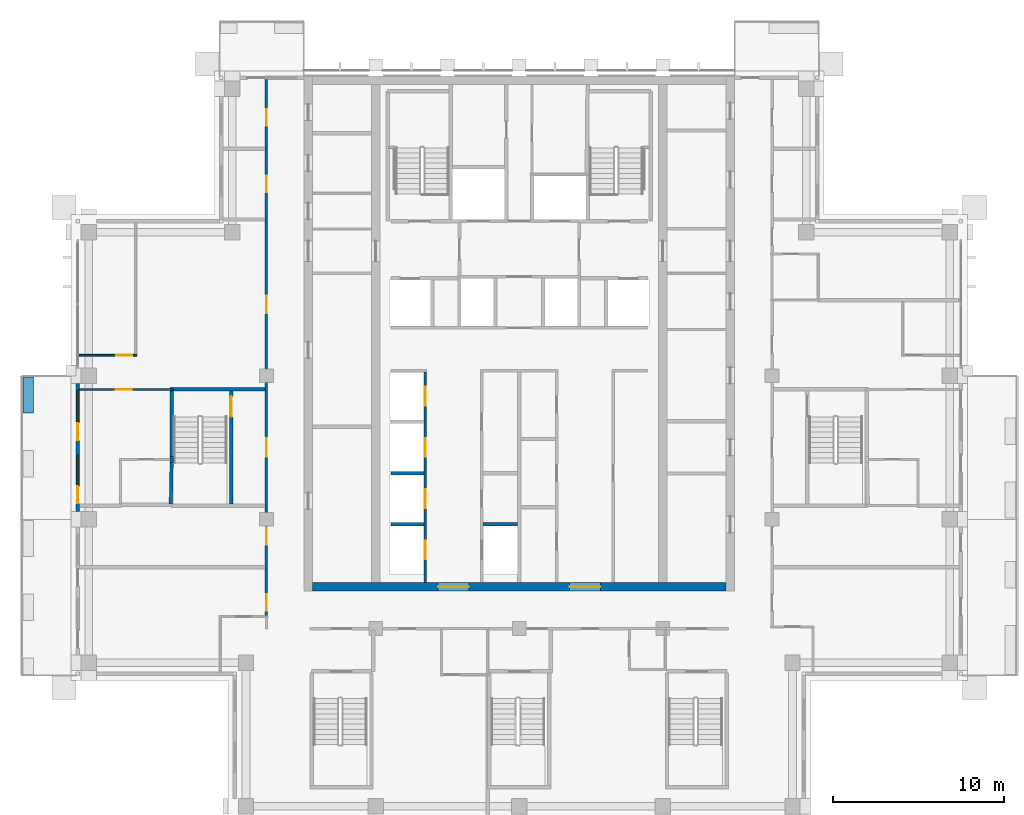
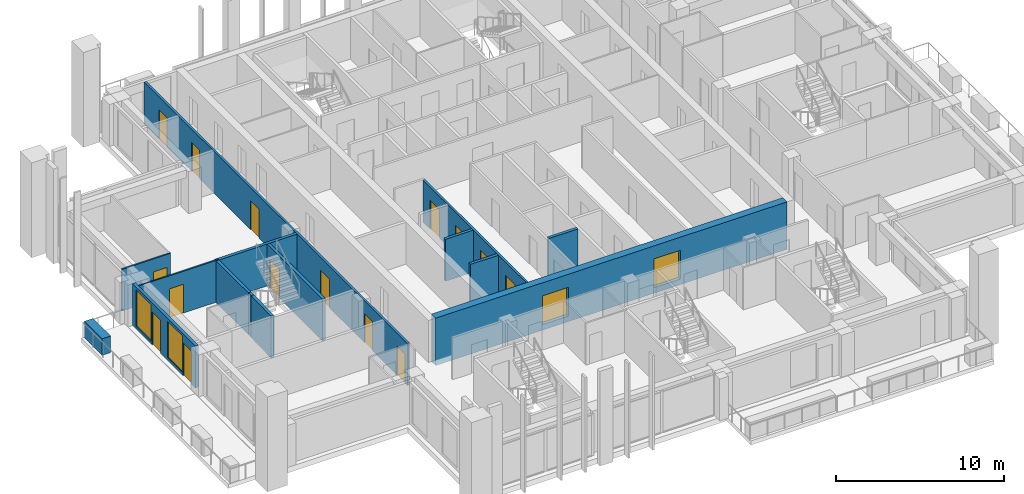
# One storey, part 9 of 18: 17 doors, 15 walls, 2 windows, 19 openings.
"""IFC4 building model written with IfcOpenShell, lengths in metres."""

import ifcopenshell
import ifcopenshell.guid

model = None  # the IFC model being written
_history = None  # IfcOwnerHistory: only IFC2X3 demands one
_inside = {}  # id of a spatial element -> (the spatial element, [elements in it])
_under = {}  # id of a project, library or spatial element -> (it, [spatial elements below it])
_declared = {}  # id of a project -> (the project, [libraries it declares])
_typed = {}  # id of a type object -> (the type object, [elements of that type])
_made_of = {}  # id of a material, layer set ... -> (it, [elements and type objects made of it])


def new_model(schema):
    """Start an empty IFC model of exactly this schema.

    Asked for "IFC4X3", IfcOpenShell would pick the latest addendum, in which some entities
    have other attributes; the version numbers below select the first issue.
    IFC2X3 requires an IfcOwnerHistory on every rooted entity: one is made here for all.
    """
    global model, _history
    if schema == "IFC4X3":
        model = ifcopenshell.file(schema_version=(4, 3, 0, 0))
    else:
        model = ifcopenshell.file(schema=schema)
    _inside.clear()
    _under.clear()
    _declared.clear()
    _typed.clear()
    _made_of.clear()
    _history = None
    if model.schema == "IFC2X3":
        org = make("IfcOrganization", Name="unknown")
        user = make(
            "IfcPersonAndOrganization",
            ThePerson=make("IfcPerson", FamilyName="unknown"),
            TheOrganization=org,
        )
        app = make(
            "IfcApplication",
            ApplicationDeveloper=org,
            Version="unknown",
            ApplicationFullName="unknown",
            ApplicationIdentifier="unknown",
        )
        _history = make(
            "IfcOwnerHistory",
            OwningUser=user,
            OwningApplication=app,
            ChangeAction="ADDED",
            CreationDate=0,
        )
    return model


def make(cls, **values):
    """One entity of the class cls with the attributes given. An attribute that is None is left unset."""
    return model.create_entity(
        cls, **{name: value for name, value in values.items() if value is not None}
    )


def rooted(cls, **values):
    """An entity with a GlobalId (a new one), such as an element, a storey or a relation."""
    return make(cls, GlobalId=ifcopenshell.guid.new(), OwnerHistory=_history, **values)


def si_unit(unit_type, name, prefix=None):
    """IfcSIUnit, for example si_unit("LENGTHUNIT", "METRE", prefix="MILLI")."""
    return make("IfcSIUnit", UnitType=unit_type, Prefix=prefix, Name=name)


def assignment(units):
    """IfcUnitAssignment: the units of a project."""
    return None if units is None else make("IfcUnitAssignment", Units=units)


def point(xyz):
    """IfcCartesianPoint."""
    return None if xyz is None else make("IfcCartesianPoint", Coordinates=xyz)


def direction(xyz):
    """IfcDirection."""
    return None if xyz is None else make("IfcDirection", DirectionRatios=xyz)


def frame(location, z_axis=None, x_axis=None):
    """IfcAxis2Placement3D, a coordinate frame: its origin and axes. An axis left out is left unset."""
    return make(
        "IfcAxis2Placement3D",
        Location=point(location),
        Axis=direction(z_axis),
        RefDirection=direction(x_axis),
    )


def frame_2d(location, x_axis=None):
    """IfcAxis2Placement2D, a coordinate frame in the plane: its origin and x axis."""
    return make(
        "IfcAxis2Placement2D", Location=point(location), RefDirection=direction(x_axis)
    )


def origin():
    """The frame at (0, 0, 0) with its axes left unset."""
    return frame((0.0, 0.0, 0.0))


def place(relative_to, where):
    """IfcLocalPlacement: puts the frame where relative to a parent placement (None: the world)."""
    return make(
        "IfcLocalPlacement", PlacementRelTo=relative_to, RelativePlacement=where
    )


def context(
    kind, dimensions, precision=None, world=None, true_north=None, identifier=None
):
    """IfcGeometricRepresentationContext, for example the 3D "Model" context."""
    return make(
        "IfcGeometricRepresentationContext",
        ContextIdentifier=identifier,
        ContextType=kind,
        CoordinateSpaceDimension=dimensions,
        Precision=precision,
        WorldCoordinateSystem=world,
        TrueNorth=true_north,
    )


def subcontext(parent, identifier, kind, view, scale=None):
    """IfcGeometricRepresentationSubContext, for example "Body" below "Model"."""
    return make(
        "IfcGeometricRepresentationSubContext",
        ContextIdentifier=identifier,
        ContextType=kind,
        ParentContext=parent,
        TargetScale=scale,
        TargetView=view,
    )


def project(units=None, contexts=None):
    """IfcProject with its units and contexts."""
    return rooted(
        "IfcProject",
        Name="project",
        RepresentationContexts=contexts,
        UnitsInContext=assignment(units),
    )


def spatial(cls, under=None, at=None, **own):
    """A site, building, storey or space (cls), placed at a placement, below another one or the project."""
    s = rooted(cls, ObjectPlacement=at, **own)
    if under is not None:
        _under.setdefault(under.id(), (under, []))[1].append(s)
    return s


def profile(cls, at=None, kind="AREA", **sizes):
    """A parametric profile (cls). Its sizes go by their IFC names, for example OverallWidth=200.0."""
    return make(cls, ProfileType=kind, Position=at, **sizes)


def rectangle(**sizes):
    """IfcRectangleProfileDef."""
    return profile("IfcRectangleProfileDef", **sizes)


def extrude(swept, where, along, depth):
    """IfcExtrudedAreaSolid: the profile swept, set in the frame where, extruded along a direction by depth."""
    return make(
        "IfcExtrudedAreaSolid",
        SweptArea=swept,
        Position=where,
        ExtrudedDirection=direction(along),
        Depth=depth,
    )


def shape(context_of_items, identifier, shape_type, items):
    """IfcShapeRepresentation: the items that make up one representation, for example the "Body"."""
    return make(
        "IfcShapeRepresentation",
        ContextOfItems=context_of_items,
        RepresentationIdentifier=identifier,
        RepresentationType=shape_type,
        Items=items,
    )


def material(Name=None, Category=None):
    """IfcMaterial."""
    return make("IfcMaterial", Name=Name, Category=Category)


def layer(
    of_material, thickness, ventilated=None, Name=None, Category=None, Priority=None
):
    """IfcMaterialLayer: one layer of a wall or slab, of a material (None: an air gap)."""
    return make(
        "IfcMaterialLayer",
        Material=of_material,
        LayerThickness=thickness,
        IsVentilated=ventilated,
        Name=Name,
        Category=Category,
        Priority=Priority,
    )


def layer_set(layers, Name=None):
    """IfcMaterialLayerSet."""
    return make("IfcMaterialLayerSet", MaterialLayers=layers, LayerSetName=Name)


def made_of(thing, what):
    """Note that an element or type object is made of a material, layer set ...; save() writes the relation."""
    if what is not None:
        _made_of.setdefault(what.id(), (what, []))[1].append(thing)
    return thing


def type_object(cls, material=None, **own):
    """A type object (cls), such as IfcWallType, which elements share."""
    return made_of(rooted(cls, **own), material)


def element(
    cls,
    number,
    at=None,
    inside=None,
    cuts=None,
    type_object=None,
    material=None,
    context=None,
    identifier="Body",
    shape_type=None,
    held_by="IfcProductDefinitionShape",
    body=None,
    shapes=None,
    **own,
):
    """One element of the class cls, such as IfcWall. Its Tag is "e" and its number.

    at: its placement. inside: the storey or other place that contains it. cuts: it is an
    opening in that element (IfcRelVoidsElement). A single representation is given by context,
    identifier, shape_type and body (its items); several are given by shapes. held_by: the class
    of the entity that holds the representations. save() writes the other relations.
    """
    e = rooted(cls, Tag="e%d" % number, ObjectPlacement=at, **own)
    if body is not None:
        shapes = [shape(context, identifier, shape_type, body)]
    if shapes is not None:
        e.Representation = make(held_by, Representations=shapes)
    if inside is not None:
        _inside.setdefault(inside.id(), (inside, []))[1].append(e)
    if cuts is not None:
        rooted(
            "IfcRelVoidsElement", RelatingBuildingElement=cuts, RelatedOpeningElement=e
        )
    if type_object is not None:
        _typed.setdefault(type_object.id(), (type_object, []))[1].append(e)
    return made_of(e, material)


def fill(opening, filler):
    """IfcRelFillsElement: the door or window that sits in an opening."""
    return rooted(
        "IfcRelFillsElement",
        RelatingOpeningElement=opening,
        RelatedBuildingElement=filler,
    )


def aggregate(whole, parts):
    """IfcRelAggregates: a whole, such as a stair, and the parts it consists of."""
    return rooted("IfcRelAggregates", RelatingObject=whole, RelatedObjects=parts)


def save(model, path):
    """Write the relations noted so far, then the file.

    IfcRelAggregates (storeys below a building ...), IfcRelContainedInSpatialStructure (elements
    in a storey), IfcRelDefinesByType, IfcRelAssociatesMaterial and IfcRelDeclares: one each for
    every whole, place, type object, material and project.
    """
    for whole, parts in _under.values():
        aggregate(whole, parts)
    for where, things in _inside.values():
        rooted(
            "IfcRelContainedInSpatialStructure",
            RelatedElements=things,
            RelatingStructure=where,
        )
    for kind, things in _typed.values():
        rooted("IfcRelDefinesByType", RelatedObjects=things, RelatingType=kind)
    for what, things in _made_of.values():
        rooted("IfcRelAssociatesMaterial", RelatedObjects=things, RelatingMaterial=what)
    for by, libraries in _declared.values():
        rooted("IfcRelDeclares", RelatingContext=by, RelatedDefinitions=libraries)
    model.write(path)


model = new_model("IFC4")

# Units and contexts
model_context = context("Model", 3, precision=1e-05, world=origin(), true_north=direction((0.0, 1.0)))
body_context = subcontext(model_context, "Body", "Model", "MODEL_VIEW")
ifc_project = project(units=[si_unit("LENGTHUNIT", "METRE"), si_unit("AREAUNIT", "SQUARE_METRE"), si_unit("VOLUMEUNIT", "CUBIC_METRE"), si_unit("PLANEANGLEUNIT", "RADIAN"), si_unit("MASSUNIT", "GRAM", prefix="KILO")], contexts=[model_context])

# Site, building, storey
site_placement = place(None, origin())
site = spatial("IfcSite", under=ifc_project, at=site_placement, CompositionType="ELEMENT")
building_placement = place(site_placement, origin())
building = spatial("IfcBuilding", under=site, at=building_placement, Name="Vermilion Ogive Tower", CompositionType="ELEMENT")
storey_placement = place(building_placement, frame((0.0, 0.0, 240.699951171875)))
storey = spatial("IfcBuildingStorey", under=building, at=storey_placement, Name="L63", CompositionType="ELEMENT", Elevation=240.699951171875)

# Wall, openings, doors
ifc_material_1 = material(Name="Concrete B60", Category="concrete")
ifc_layer_1 = layer(ifc_material_1, 0.5)
ifc_layer_set_1 = layer_set([ifc_layer_1], Name="Core wall 500 B60")
wall_type_1 = type_object("IfcWallType", Name="Core wall 500 B60", PredefinedType="SHEAR", material=ifc_layer_set_1)
wall_1_placement = place(storey_placement, frame((-12.10009765625, -8.14990234375, -0.39990234375), z_axis=(0.0, 0.0, 1.0), x_axis=(1.0, 0.0, 0.0)))
wall_1 = element("IfcWall", 1, at=wall_1_placement, inside=storey, type_object=wall_type_1, Name="L63-CORE-S", PredefinedType="SHEAR", context=body_context, shape_type="SweptSolid", body=[
    extrude(rectangle(XDim=24.2001953125, YDim=0.5, at=frame_2d((12.10009765625, 0.0))), origin(), (0.0, 0.0, 1.0), 3.449951171875),
])
opening_1_placement = place(wall_1_placement, frame((7.35009765625, 0.0, 0.39990234375)))
opening_1 = element("IfcOpeningElement", 2, at=opening_1_placement, cuts=wall_1, Name="Opening DAH051", PredefinedType="OPENING", context=body_context, shape_type="SweptSolid", body=[
    extrude(rectangle(XDim=1.800048828125, YDim=2.10009765625, at=frame_2d((0.89990234375, 1.050048828125))), frame((0.0, 0.260009765625, 0.0), z_axis=(0.0, -1.0, 0.0), x_axis=(1.0, 0.0, 0.0)), (0.0, 0.0, 1.0), 0.52001953125),
])
opening_2_placement = place(wall_1_placement, frame((15.050048828125, 0.0, 0.39990234375)))
opening_2 = element("IfcOpeningElement", 3, at=opening_2_placement, cuts=wall_1, Name="Opening DAH052", PredefinedType="OPENING", context=body_context, shape_type="SweptSolid", body=[
    extrude(rectangle(XDim=1.800048828125, YDim=2.10009765625, at=frame_2d((0.89990234375, 1.050048828125))), frame((0.0, 0.260009765625, 0.0), z_axis=(0.0, -1.0, 0.0), x_axis=(1.0, 0.0, 0.0)), (0.0, 0.0, 1.0), 0.52001953125),
])
ifc_material_2 = material(Name="Timber door leaf", Category="wood")
door_type_1 = type_object("IfcDoorType", Name="Core entry door 1800 x 2100 FD60S", OperationType="DOUBLE_DOOR_SINGLE_SWING", PredefinedType="DOOR", material=ifc_material_2)
door_1_placement = place(opening_1_placement, origin())
door_1 = element("IfcDoor", 4, at=door_1_placement, inside=storey, type_object=door_type_1, Name="L63-CK-XD1", OperationType="SINGLE_SWING_LEFT", OverallHeight=2.10009765625, OverallWidth=1.800048828125, PredefinedType="DOOR", context=body_context, shape_type="SweptSolid", body=[
    extrude(rectangle(XDim=1.800048828125, YDim=2.10009765625, at=frame_2d((0.89990234375, 1.050048828125))), frame((0.0, 0.02490234375, 0.0), z_axis=(0.0, -1.0, 0.0), x_axis=(1.0, 0.0, 0.0)), (0.0, 0.0, 1.0), 0.050048828125),
])
fill(opening_1, door_1)
door_2_placement = place(opening_2_placement, origin())
door_2 = element("IfcDoor", 5, at=door_2_placement, inside=storey, type_object=door_type_1, Name="L63-CK-XD2", OperationType="SINGLE_SWING_LEFT", OverallHeight=2.10009765625, OverallWidth=1.800048828125, PredefinedType="DOOR", context=body_context, shape_type="SweptSolid", body=[
    extrude(rectangle(XDim=1.800048828125, YDim=2.10009765625, at=frame_2d((0.89990234375, 1.050048828125))), frame((0.0, 0.02490234375, 0.0), z_axis=(0.0, -1.0, 0.0), x_axis=(1.0, 0.0, 0.0)), (0.0, 0.0, 1.0), 0.050048828125),
])
fill(opening_2, door_2)

# Wall, opening, door
ifc_material_3 = material(Name="Gypsum board partition on steel studs", Category="steel")
ifc_layer_2 = layer(ifc_material_3, 0.10009765625)
ifc_layer_set_2 = layer_set([ifc_layer_2], Name="Partition 100 inner")
wall_type_2 = type_object("IfcWallType", Name="Partition 100 inner", PredefinedType="PARTITIONING", material=ifc_layer_set_2)
wall_2_placement = place(storey_placement, frame((-25.75, 3.39990234375, 0.0), z_axis=(0.0, 0.0, 1.0), x_axis=(1.0, 0.0, 0.0)))
wall_2 = element("IfcWall", 6, at=wall_2_placement, inside=storey, type_object=wall_type_2, Name="L63-W-W024", PredefinedType="PARTITIONING", context=body_context, shape_type="SweptSolid", body=[
    extrude(rectangle(XDim=5.5, YDim=0.10009765625, at=frame_2d((2.75, 0.0))), origin(), (0.0, 0.0, 1.0), 3.050048828125),
])
opening_3_placement = place(wall_2_placement, frame((2.125, 0.0, 0.0)))
opening_3 = element("IfcOpeningElement", 7, at=opening_3_placement, cuts=wall_2, Name="Opening D5G3005", PredefinedType="OPENING", context=body_context, shape_type="SweptSolid", body=[
    extrude(rectangle(XDim=0.949951171875, YDim=2.10009765625, at=frame_2d((0.47509765625, 1.050048828125))), frame((0.0, 0.06005859375, 0.0), z_axis=(0.0, -1.0, 0.0), x_axis=(1.0, 0.0, 0.0)), (0.0, 0.0, 1.0), 0.1201171875),
])
ifc_material_4 = material(Name="Timber door leaf", Category="wood")
door_type_2 = type_object("IfcDoorType", Name="Inner door 950 x 2100 FD30", OperationType="SINGLE_SWING_LEFT", PredefinedType="DOOR", material=ifc_material_4)
door_3_placement = place(opening_3_placement, origin())
door_3 = element("IfcDoor", 8, at=door_3_placement, inside=storey, type_object=door_type_2, Name="L63-D-D005", OperationType="SINGLE_SWING_LEFT", OverallHeight=2.10009765625, OverallWidth=0.949951171875, PredefinedType="DOOR", context=body_context, shape_type="SweptSolid", body=[
    extrude(rectangle(XDim=0.949951171875, YDim=2.10009765625, at=frame_2d((0.47509765625, 1.050048828125))), frame((0.0, 0.02490234375, 0.0), z_axis=(0.0, -1.0, 0.0), x_axis=(1.0, 0.0, 0.0)), (0.0, 0.0, 1.0), 0.050048828125),
])
fill(opening_3, door_3)

wall_3_placement = place(storey_placement, frame((-25.75, 5.39990234375, 0.0), z_axis=(0.0, 0.0, 1.0), x_axis=(1.0, 0.0, 0.0)))
wall_3 = element("IfcWall", 9, at=wall_3_placement, inside=storey, type_object=wall_type_2, Name="L63-W-W028", PredefinedType="PARTITIONING", context=body_context, shape_type="SweptSolid", body=[
    extrude(rectangle(XDim=3.35009765625, YDim=0.10009765625, at=frame_2d((1.675048828125, 0.0))), origin(), (0.0, 0.0, 1.0), 3.050048828125),
])
opening_4_placement = place(wall_3_placement, frame((2.14990234375, 0.0, 0.0)))
opening_4 = element("IfcOpeningElement", 10, at=opening_4_placement, cuts=wall_3, Name="Opening D5G3003", PredefinedType="OPENING", context=body_context, shape_type="SweptSolid", body=[
    extrude(rectangle(XDim=0.949951171875, YDim=2.10009765625, at=frame_2d((0.47509765625, 1.050048828125))), frame((0.0, 0.06005859375, 0.0), z_axis=(0.0, -1.0, 0.0), x_axis=(1.0, 0.0, 0.0)), (0.0, 0.0, 1.0), 0.1201171875),
])
door_4_placement = place(opening_4_placement, origin())
door_4 = element("IfcDoor", 11, at=door_4_placement, inside=storey, type_object=door_type_2, Name="L63-D-D003", OperationType="SINGLE_SWING_RIGHT", OverallHeight=2.10009765625, OverallWidth=0.949951171875, PredefinedType="DOOR", context=body_context, shape_type="SweptSolid", body=[
    extrude(rectangle(XDim=0.949951171875, YDim=2.10009765625, at=frame_2d((0.47509765625, 1.050048828125))), frame((0.0, 0.02490234375, 0.0), z_axis=(0.0, -1.0, 0.0), x_axis=(1.0, 0.0, 0.0)), (0.0, 0.0, 1.0), 0.050048828125),
])
fill(opening_4, door_4)

# Wall, openings, doors
ifc_material_5 = material(Name="Gypsum board partition on steel studs", Category="steel")
ifc_layer_3 = layer(ifc_material_5, 0.14990234375)
ifc_layer_set_3 = layer_set([ifc_layer_3], Name="Partition 150 corridor")
wall_type_3 = type_object("IfcWallType", Name="Partition 150 corridor", PredefinedType="PARTITIONING", material=ifc_layer_set_3)
wall_4_placement = place(storey_placement, frame((-14.800048828125, -9.85009765625, 0.0), z_axis=(0.0, 0.0, 1.0), x_axis=(0.0, 1.0, 0.0)))
wall_4 = element("IfcWall", 12, at=wall_4_placement, inside=storey, type_object=wall_type_3, Name="L63-W-W044", PredefinedType="PARTITIONING", context=body_context, shape_type="SweptSolid", body=[
    extrude(rectangle(XDim=31.400146484375, YDim=0.14990234375, at=frame_2d((15.7001953125, 0.0))), origin(), (0.0, 0.0, 1.0), 3.050048828125),
])
opening_5_placement = place(wall_4_placement, frame((0.300048828125, 0.0, 0.0)))
opening_5 = element("IfcOpeningElement", 13, at=opening_5_placement, cuts=wall_4, Name="Opening D5G3001", PredefinedType="OPENING", context=body_context, shape_type="SweptSolid", body=[
    extrude(rectangle(XDim=0.949951171875, YDim=2.10009765625, at=frame_2d((0.47509765625, 1.050048828125))), frame((0.0, 0.0849609375, 0.0), z_axis=(0.0, -1.0, 0.0), x_axis=(1.0, 0.0, 0.0)), (0.0, 0.0, 1.0), 0.169921875),
])
opening_6_placement = place(wall_4_placement, frame((17.72509765625, 0.0, 0.0)))
opening_6 = element("IfcOpeningElement", 14, at=opening_6_placement, cuts=wall_4, Name="Opening D5G3004", PredefinedType="OPENING", context=body_context, shape_type="SweptSolid", body=[
    extrude(rectangle(XDim=1.0, YDim=2.10009765625, at=frame_2d((0.5, 1.050048828125))), frame((0.0, 0.0849609375, 0.0), z_axis=(0.0, -1.0, 0.0), x_axis=(1.0, 0.0, 0.0)), (0.0, 0.0, 1.0), 0.169921875),
])
opening_7_placement = place(wall_4_placement, frame((24.800048828125, 0.0, 0.0)))
opening_7 = element("IfcOpeningElement", 15, at=opening_7_placement, cuts=wall_4, Name="Opening D5G3007", PredefinedType="OPENING", context=body_context, shape_type="SweptSolid", body=[
    extrude(rectangle(XDim=0.949951171875, YDim=2.10009765625, at=frame_2d((0.47509765625, 1.050048828125))), frame((0.0, 0.0849609375, 0.0), z_axis=(0.0, -1.0, 0.0), x_axis=(1.0, 0.0, 0.0)), (0.0, 0.0, 1.0), 0.169921875),
])
opening_8_placement = place(wall_4_placement, frame((28.7001953125, 0.0, 0.0)))
opening_8 = element("IfcOpeningElement", 16, at=opening_8_placement, cuts=wall_4, Name="Opening D5G3008", PredefinedType="OPENING", context=body_context, shape_type="SweptSolid", body=[
    extrude(rectangle(XDim=0.949951171875, YDim=2.10009765625, at=frame_2d((0.47509765625, 1.050048828125))), frame((0.0, 0.0849609375, 0.0), z_axis=(0.0, -1.0, 0.0), x_axis=(1.0, 0.0, 0.0)), (0.0, 0.0, 1.0), 0.169921875),
])
opening_9_placement = place(wall_4_placement, frame((9.300048828125, 0.0, 0.0)))
opening_9 = element("IfcOpeningElement", 17, at=opening_9_placement, cuts=wall_4, Name="Opening D5G3031", PredefinedType="OPENING", context=body_context, shape_type="SweptSolid", body=[
    extrude(rectangle(XDim=1.10009765625, YDim=2.10009765625, at=frame_2d((0.550048828125, 1.050048828125))), frame((0.0, 0.0849609375, 0.0), z_axis=(0.0, -1.0, 0.0), x_axis=(1.0, 0.0, 0.0)), (0.0, 0.0, 1.0), 0.169921875),
])
opening_10_placement = place(wall_4_placement, frame((4.150146484375, 0.0, 0.0)))
opening_10 = element("IfcOpeningElement", 18, at=opening_10_placement, cuts=wall_4, Name="Opening D5G3033", PredefinedType="OPENING", context=body_context, shape_type="SweptSolid", body=[
    extrude(rectangle(XDim=1.0, YDim=2.10009765625, at=frame_2d((0.5, 1.050048828125))), frame((0.0, 0.0849609375, 0.0), z_axis=(0.0, -1.0, 0.0), x_axis=(1.0, 0.0, 0.0)), (0.0, 0.0, 1.0), 0.169921875),
])
ifc_material_6 = material(Name="Timber door leaf", Category="wood")
door_type_3 = type_object("IfcDoorType", Name="Stair door 1100 x 2100 FD60S", OperationType="SINGLE_SWING_LEFT", PredefinedType="DOOR", material=ifc_material_6)
door_5_placement = place(opening_9_placement, origin())
door_5 = element("IfcDoor", 19, at=door_5_placement, inside=storey, type_object=door_type_3, Name="L63-D-D031", OperationType="SINGLE_SWING_RIGHT", OverallHeight=2.10009765625, OverallWidth=1.10009765625, PredefinedType="DOOR", context=body_context, shape_type="SweptSolid", body=[
    extrude(rectangle(XDim=1.10009765625, YDim=2.10009765625, at=frame_2d((0.550048828125, 1.050048828125))), frame((0.0, 0.02490234375, 0.0), z_axis=(0.0, -1.0, 0.0), x_axis=(1.0, 0.0, 0.0)), (0.0, 0.0, 1.0), 0.050048828125),
])
fill(opening_9, door_5)
ifc_material_7 = material(Name="Timber door leaf", Category="wood")
door_type_4 = type_object("IfcDoorType", Name="Unit door 1000 x 2100 FD30S", OperationType="SINGLE_SWING_LEFT", PredefinedType="DOOR", material=ifc_material_7)
door_6_placement = place(opening_6_placement, origin())
door_6 = element("IfcDoor", 20, at=door_6_placement, inside=storey, type_object=door_type_4, Name="L63-D-D004", OperationType="SINGLE_SWING_RIGHT", OverallHeight=2.10009765625, OverallWidth=1.0, PredefinedType="DOOR", context=body_context, shape_type="SweptSolid", body=[
    extrude(rectangle(XDim=1.0, YDim=2.10009765625, at=frame_2d((0.5, 1.050048828125))), frame((0.0, 0.02490234375, 0.0), z_axis=(0.0, -1.0, 0.0), x_axis=(1.0, 0.0, 0.0)), (0.0, 0.0, 1.0), 0.050048828125),
])
fill(opening_6, door_6)
door_7_placement = place(opening_10_placement, origin())
door_7 = element("IfcDoor", 21, at=door_7_placement, inside=storey, type_object=door_type_4, Name="L63-D-D033", OperationType="SINGLE_SWING_LEFT", OverallHeight=2.10009765625, OverallWidth=1.0, PredefinedType="DOOR", context=body_context, shape_type="SweptSolid", body=[
    extrude(rectangle(XDim=1.0, YDim=2.10009765625, at=frame_2d((0.5, 1.050048828125))), frame((0.0, 0.02490234375, 0.0), z_axis=(0.0, -1.0, 0.0), x_axis=(1.0, 0.0, 0.0)), (0.0, 0.0, 1.0), 0.050048828125),
])
fill(opening_10, door_7)
ifc_material_8 = material(Name="Timber door leaf", Category="wood")
door_type_5 = type_object("IfcDoorType", Name="Unit door 950 x 2100 FD30S", OperationType="SINGLE_SWING_LEFT", PredefinedType="DOOR", material=ifc_material_8)
door_8_placement = place(opening_5_placement, origin())
door_8 = element("IfcDoor", 22, at=door_8_placement, inside=storey, type_object=door_type_5, Name="L63-D-D001", OperationType="SINGLE_SWING_LEFT", OverallHeight=2.10009765625, OverallWidth=0.949951171875, PredefinedType="DOOR", context=body_context, shape_type="SweptSolid", body=[
    extrude(rectangle(XDim=0.949951171875, YDim=2.10009765625, at=frame_2d((0.47509765625, 1.050048828125))), frame((0.0, 0.02490234375, 0.0), z_axis=(0.0, -1.0, 0.0), x_axis=(1.0, 0.0, 0.0)), (0.0, 0.0, 1.0), 0.050048828125),
])
fill(opening_5, door_8)
door_9_placement = place(opening_7_placement, origin())
door_9 = element("IfcDoor", 23, at=door_9_placement, inside=storey, type_object=door_type_5, Name="L63-D-D007", OperationType="SINGLE_SWING_LEFT", OverallHeight=2.10009765625, OverallWidth=0.949951171875, PredefinedType="DOOR", context=body_context, shape_type="SweptSolid", body=[
    extrude(rectangle(XDim=0.949951171875, YDim=2.10009765625, at=frame_2d((0.47509765625, 1.050048828125))), frame((0.0, 0.02490234375, 0.0), z_axis=(0.0, -1.0, 0.0), x_axis=(1.0, 0.0, 0.0)), (0.0, 0.0, 1.0), 0.050048828125),
])
fill(opening_7, door_9)
door_10_placement = place(opening_8_placement, origin())
door_10 = element("IfcDoor", 24, at=door_10_placement, inside=storey, type_object=door_type_5, Name="L63-D-D008", OperationType="SINGLE_SWING_LEFT", OverallHeight=2.10009765625, OverallWidth=0.949951171875, PredefinedType="DOOR", context=body_context, shape_type="SweptSolid", body=[
    extrude(rectangle(XDim=0.949951171875, YDim=2.10009765625, at=frame_2d((0.47509765625, 1.050048828125))), frame((0.0, 0.02490234375, 0.0), z_axis=(0.0, -1.0, 0.0), x_axis=(1.0, 0.0, 0.0)), (0.0, 0.0, 1.0), 0.050048828125),
])
fill(opening_8, door_10)

wall_5_placement = place(storey_placement, frame((-5.5, -7.89892578125, 0.0), z_axis=(0.0, 0.0, 1.0), x_axis=(0.0, 1.0, 0.0)))
wall_5 = element("IfcWall", 25, at=wall_5_placement, inside=storey, type_object=wall_type_3, Name="L63-CK-W-W020", PredefinedType="PARTITIONING", context=body_context, shape_type="SweptSolid", body=[
    extrude(rectangle(XDim=12.323974609375, YDim=0.14990234375, at=frame_2d((6.162109375, 0.0))), origin(), (0.0, 0.0, 1.0), 3.050048828125),
])
opening_11_placement = place(wall_5_placement, frame((1.348876953125, 0.0, 0.0)))
opening_11 = element("IfcOpeningElement", 26, at=opening_11_placement, cuts=wall_5, Name="Opening DAA600", PredefinedType="OPENING", context=body_context, shape_type="SweptSolid", body=[
    extrude(rectangle(XDim=1.10009765625, YDim=2.10009765625, at=frame_2d((0.550048828125, 1.050048828125))), frame((0.0, 0.0849609375, 0.0), z_axis=(0.0, -1.0, 0.0), x_axis=(1.0, 0.0, 0.0)), (0.0, 0.0, 1.0), 0.169921875),
])
opening_12_placement = place(wall_5_placement, frame((4.348876953125, 0.0, 0.0)))
opening_12 = element("IfcOpeningElement", 27, at=opening_12_placement, cuts=wall_5, Name="Opening DAA601", PredefinedType="OPENING", context=body_context, shape_type="SweptSolid", body=[
    extrude(rectangle(XDim=1.10009765625, YDim=2.10009765625, at=frame_2d((0.550048828125, 1.050048828125))), frame((0.0, 0.0849609375, 0.0), z_axis=(0.0, -1.0, 0.0), x_axis=(1.0, 0.0, 0.0)), (0.0, 0.0, 1.0), 0.169921875),
])
opening_13_placement = place(wall_5_placement, frame((7.348876953125, 0.0, 0.0)))
opening_13 = element("IfcOpeningElement", 28, at=opening_13_placement, cuts=wall_5, Name="Opening DAA602", PredefinedType="OPENING", context=body_context, shape_type="SweptSolid", body=[
    extrude(rectangle(XDim=1.10009765625, YDim=2.10009765625, at=frame_2d((0.550048828125, 1.050048828125))), frame((0.0, 0.0849609375, 0.0), z_axis=(0.0, -1.0, 0.0), x_axis=(1.0, 0.0, 0.0)), (0.0, 0.0, 1.0), 0.169921875),
])
opening_14_placement = place(wall_5_placement, frame((10.348876953125, 0.0, 0.0)))
opening_14 = element("IfcOpeningElement", 29, at=opening_14_placement, cuts=wall_5, Name="Opening DAA603", PredefinedType="OPENING", context=body_context, shape_type="SweptSolid", body=[
    extrude(rectangle(XDim=1.10009765625, YDim=2.10009765625, at=frame_2d((0.550048828125, 1.050048828125))), frame((0.0, 0.0849609375, 0.0), z_axis=(0.0, -1.0, 0.0), x_axis=(1.0, 0.0, 0.0)), (0.0, 0.0, 1.0), 0.169921875),
])
ifc_material_9 = material(Name="Stainless steel", Category="steel")
door_type_6 = type_object("IfcDoorType", Name="Lift landing door 1100 x 2100", OperationType="SLIDING_TO_LEFT", PredefinedType="DOOR", material=ifc_material_9)
door_11_placement = place(opening_11_placement, origin())
door_11 = element("IfcDoor", 30, at=door_11_placement, inside=storey, type_object=door_type_6, Name="L63-CK-D-D001", OperationType="SLIDING_TO_LEFT", OverallHeight=2.10009765625, OverallWidth=1.10009765625, PredefinedType="DOOR", context=body_context, shape_type="SweptSolid", body=[
    extrude(rectangle(XDim=1.10009765625, YDim=2.10009765625, at=frame_2d((0.550048828125, 1.050048828125))), frame((0.0, 0.02490234375, 0.0), z_axis=(0.0, -1.0, 0.0), x_axis=(1.0, 0.0, 0.0)), (0.0, 0.0, 1.0), 0.050048828125),
])
fill(opening_11, door_11)
door_12_placement = place(opening_12_placement, origin())
door_12 = element("IfcDoor", 31, at=door_12_placement, inside=storey, type_object=door_type_6, Name="L63-CK-D-D002", OperationType="SLIDING_TO_LEFT", OverallHeight=2.10009765625, OverallWidth=1.10009765625, PredefinedType="DOOR", context=body_context, shape_type="SweptSolid", body=[
    extrude(rectangle(XDim=1.10009765625, YDim=2.10009765625, at=frame_2d((0.550048828125, 1.050048828125))), frame((0.0, 0.02490234375, 0.0), z_axis=(0.0, -1.0, 0.0), x_axis=(1.0, 0.0, 0.0)), (0.0, 0.0, 1.0), 0.050048828125),
])
fill(opening_12, door_12)
door_13_placement = place(opening_13_placement, origin())
door_13 = element("IfcDoor", 32, at=door_13_placement, inside=storey, type_object=door_type_6, Name="L63-CK-D-D003", OperationType="SLIDING_TO_LEFT", OverallHeight=2.10009765625, OverallWidth=1.10009765625, PredefinedType="DOOR", context=body_context, shape_type="SweptSolid", body=[
    extrude(rectangle(XDim=1.10009765625, YDim=2.10009765625, at=frame_2d((0.550048828125, 1.050048828125))), frame((0.0, 0.02490234375, 0.0), z_axis=(0.0, -1.0, 0.0), x_axis=(1.0, 0.0, 0.0)), (0.0, 0.0, 1.0), 0.050048828125),
])
fill(opening_13, door_13)
door_14_placement = place(opening_14_placement, origin())
door_14 = element("IfcDoor", 33, at=door_14_placement, inside=storey, type_object=door_type_6, Name="L63-CK-D-D004", OperationType="SLIDING_TO_LEFT", OverallHeight=2.10009765625, OverallWidth=1.10009765625, PredefinedType="DOOR", context=body_context, shape_type="SweptSolid", body=[
    extrude(rectangle(XDim=1.10009765625, YDim=2.10009765625, at=frame_2d((0.550048828125, 1.050048828125))), frame((0.0, 0.02490234375, 0.0), z_axis=(0.0, -1.0, 0.0), x_axis=(1.0, 0.0, 0.0)), (0.0, 0.0, 1.0), 0.050048828125),
])
fill(opening_14, door_14)

# Walls
ifc_material_10 = material(Name="Gypsum board partition on steel studs", Category="steel")
ifc_layer_4 = layer(ifc_material_10, 0.199951171875)
ifc_layer_set_4 = layer_set([ifc_layer_4], Name="Partition 200 party")
wall_type_4 = type_object("IfcWallType", Name="Partition 200 party", PredefinedType="PARTITIONING", material=ifc_layer_set_4)
wall_6_placement = place(storey_placement, frame((-7.5, -4.5, 0.0), z_axis=(0.0, 0.0, 1.0), x_axis=(1.0, 0.0, 0.0)))
element("IfcWall", 34, at=wall_6_placement, inside=storey, type_object=wall_type_4, Name="L63-CK-W-W001", PredefinedType="PARTITIONING", context=body_context, shape_type="SweptSolid", body=[
    extrude(rectangle(XDim=1.925048828125, YDim=0.199951171875, at=frame_2d((0.96240234375, 0.0))), origin(), (0.0, 0.0, 1.0), 3.050048828125),
])
wall_7_placement = place(storey_placement, frame((-2.125, -4.5, 0.0), z_axis=(0.0, 0.0, 1.0), x_axis=(1.0, 0.0, 0.0)))
element("IfcWall", 35, at=wall_7_placement, inside=storey, type_object=wall_type_4, Name="L63-CK-W-W002", PredefinedType="PARTITIONING", context=body_context, shape_type="SweptSolid", body=[
    extrude(rectangle(XDim=2.02490234375, YDim=0.199951171875, at=frame_2d((1.012451171875, 0.0))), origin(), (0.0, 0.0, 1.0), 3.050048828125),
])
wall_8_placement = place(storey_placement, frame((-7.5, -1.5, 0.0), z_axis=(0.0, 0.0, 1.0), x_axis=(1.0, 0.0, 0.0)))
element("IfcWall", 36, at=wall_8_placement, inside=storey, type_object=wall_type_4, Name="L63-CK-W-W004", PredefinedType="PARTITIONING", context=body_context, shape_type="SweptSolid", body=[
    extrude(rectangle(XDim=1.925048828125, YDim=0.199951171875, at=frame_2d((0.96240234375, 0.0))), origin(), (0.0, 0.0, 1.0), 3.050048828125),
])
ifc_material_11 = material(Name="Concrete B60", Category="concrete")
ifc_layer_5 = layer(ifc_material_11, 0.199951171875)
ifc_layer_set_5 = layer_set([ifc_layer_5], Name="Stair shaft wall 200 Concrete B60")
wall_type_5 = type_object("IfcWallType", Name="Stair shaft wall 200 Concrete B60", PredefinedType="SOLIDWALL", material=ifc_layer_set_5)
wall_9_placement = place(storey_placement, frame((-20.449951171875, 3.39990234375, 0.0), z_axis=(0.0, 0.0, 1.0), x_axis=(1.0, 0.0, 0.0)))
element("IfcWall", 37, at=wall_9_placement, inside=storey, type_object=wall_type_5, Name="L63-W-W025", PredefinedType="SOLIDWALL", context=body_context, shape_type="SweptSolid", body=[
    extrude(rectangle(XDim=5.574951171875, YDim=0.199951171875, at=frame_2d((2.78759765625, 0.0))), origin(), (0.0, 0.0, 1.0), 3.050048828125),
])
wall_10_placement = place(storey_placement, frame((-20.400146484375, -3.300048828125, 0.0), z_axis=(0.0, 0.0, 1.0), x_axis=(0.019989976481, 0.999800180456, 0.0)))
element("IfcWall", 38, at=wall_10_placement, inside=storey, type_object=wall_type_5, Name="L63-W-W039", PredefinedType="SOLIDWALL", context=body_context, shape_type="SweptSolid", body=[
    extrude(rectangle(XDim=2.430419921875, YDim=0.199951171875, at=frame_2d((1.21533203125, 0.0))), origin(), (0.0, 0.0, 1.0), 3.050048828125),
])
wall_11_placement = place(storey_placement, frame((-20.35009765625, -0.52978515625, 0.0), z_axis=(0.0, 0.0, 1.0), x_axis=(0.0, 1.0, 0.0)))
element("IfcWall", 39, at=wall_11_placement, inside=storey, type_object=wall_type_5, Name="L63-W-W040", PredefinedType="SOLIDWALL", context=body_context, shape_type="SweptSolid", body=[
    extrude(rectangle(XDim=3.829833984375, YDim=0.199951171875, at=frame_2d((1.9150390625, 0.0))), origin(), (0.0, 0.0, 1.0), 3.050048828125),
])

# Wall, opening, door
wall_12_placement = place(storey_placement, frame((-16.85009765625, -3.300048828125, 0.0), z_axis=(0.0, 0.0, 1.0), x_axis=(0.0, 1.0, 0.0)))
wall_12 = element("IfcWall", 40, at=wall_12_placement, inside=storey, type_object=wall_type_5, Name="L63-W-W042", PredefinedType="SOLIDWALL", context=body_context, shape_type="SweptSolid", body=[
    extrude(rectangle(XDim=6.60009765625, YDim=0.199951171875, at=frame_2d((3.300048828125, 0.0))), origin(), (0.0, 0.0, 1.0), 3.050048828125),
])
opening_15_placement = place(wall_12_placement, frame((5.10009765625, 0.0, 0.0)))
opening_15 = element("IfcOpeningElement", 41, at=opening_15_placement, cuts=wall_12, Name="Opening D5G3032", PredefinedType="OPENING", context=body_context, shape_type="SweptSolid", body=[
    extrude(rectangle(XDim=1.199951171875, YDim=2.10009765625, at=frame_2d((0.60009765625, 1.050048828125))), frame((0.0, 0.10986328125, 0.0), z_axis=(0.0, -1.0, 0.0), x_axis=(1.0, 0.0, 0.0)), (0.0, 0.0, 1.0), 0.219970703125),
])
ifc_material_12 = material(Name="Timber door leaf", Category="wood")
door_type_7 = type_object("IfcDoorType", Name="Stair door 1200 x 2100 FD60S", OperationType="SINGLE_SWING_LEFT", PredefinedType="DOOR", material=ifc_material_12)
door_15_placement = place(opening_15_placement, origin())
door_15 = element("IfcDoor", 42, at=door_15_placement, inside=storey, type_object=door_type_7, Name="L63-D-D032", OperationType="SINGLE_SWING_RIGHT", OverallHeight=2.10009765625, OverallWidth=1.199951171875, PredefinedType="DOOR", context=body_context, shape_type="SweptSolid", body=[
    extrude(rectangle(XDim=1.199951171875, YDim=2.10009765625, at=frame_2d((0.60009765625, 1.050048828125))), frame((0.0, 0.02490234375, 0.0), z_axis=(0.0, -1.0, 0.0), x_axis=(1.0, 0.0, 0.0)), (0.0, 0.0, 1.0), 0.050048828125),
])
fill(opening_15, door_15)

# Walls
wall_13_placement = place(storey_placement, frame((-20.35009765625, -0.8701171875, 0.0), z_axis=(0.0, 0.0, 1.0), x_axis=(0.0, 1.0, 0.0)))
element("IfcWall", 43, at=wall_13_placement, inside=storey, type_object=wall_type_5, Name="L63-SW-ST9-W1", PredefinedType="SOLIDWALL", context=body_context, shape_type="SweptSolid", body=[
    extrude(rectangle(XDim=0.34033203125, YDim=0.199951171875, at=frame_2d((0.170166015625, 0.0))), origin(), (0.0, 0.0, 1.0), 3.050048828125),
])
ifc_material_13 = material(Name="Concrete B40", Category="concrete")
ifc_layer_6 = layer(ifc_material_13, 0.60009765625)
ifc_layer_set_6 = layer_set([ifc_layer_6], Name="Structural planter")
wall_type_6 = type_object("IfcWallType", Name="Structural planter", PredefinedType="USERDEFINED", material=ifc_layer_set_6)
wall_14_placement = place(storey_placement, frame((-28.75, 4.139892578125, -0.0400390625), z_axis=(0.0, 0.0, 1.0), x_axis=(0.0, -1.0, 0.0)))
element("IfcWall", 44, at=wall_14_placement, inside=storey, type_object=wall_type_6, Name="Planter W02A1", ObjectType="PLANTER", PredefinedType="USERDEFINED", context=body_context, shape_type="SweptSolid", body=[
    extrude(rectangle(XDim=2.114990234375, YDim=0.60009765625, at=frame_2d((1.0576171875, 0.0))), origin(), (0.0, 0.0, 1.0), 1.2001953125),
])

# Wall, openings, doors, windows
ifc_material_14 = material(Name="Aluminium window wall framing", Category="aluminium")
ifc_layer_7 = layer(ifc_material_14, 0.199951171875)
ifc_layer_set_7 = layer_set([ifc_layer_7], Name="Window wall")
wall_type_7 = type_object("IfcWallType", Name="Window wall", PredefinedType="STANDARD", material=ifc_layer_set_7)
wall_15_placement = place(storey_placement, frame((-25.85009765625, 3.75, 0.0), z_axis=(0.0, 0.0, 1.0), x_axis=(0.0, -1.0, 0.0)))
wall_15 = element("IfcWall", 45, at=wall_15_placement, inside=storey, type_object=wall_type_7, Name="Window wall W2", PredefinedType="STANDARD", context=body_context, shape_type="SweptSolid", body=[
    extrude(rectangle(XDim=7.5, YDim=0.199951171875, at=frame_2d((3.75, 0.0))), origin(), (0.0, 0.0, 1.0), 3.050048828125),
])
opening_16_placement = place(wall_15_placement, frame((4.175048828125, 0.0, 0.199951171875)))
opening_16 = element("IfcOpeningElement", 46, at=opening_16_placement, cuts=wall_15, Name="Opening W1-W99", PredefinedType="OPENING", context=body_context, shape_type="SweptSolid", body=[
    extrude(rectangle(XDim=1.800048828125, YDim=2.64990234375, at=frame_2d((0.89990234375, 1.324951171875))), frame((0.0, 0.10986328125, 0.0), z_axis=(0.0, -1.0, 0.0), x_axis=(1.0, 0.0, 0.0)), (0.0, 0.0, 1.0), 0.219970703125),
])
opening_17_placement = place(wall_15_placement, frame((6.02490234375, 0.0, 0.0)))
opening_17 = element("IfcOpeningElement", 47, at=opening_17_placement, cuts=wall_15, Name="Opening D1-W99", PredefinedType="OPENING", context=body_context, shape_type="SweptSolid", body=[
    extrude(rectangle(XDim=1.0, YDim=2.39990234375, at=frame_2d((0.5, 1.199951171875))), frame((0.0, 0.10986328125, 0.0), z_axis=(0.0, -1.0, 0.0), x_axis=(1.0, 0.0, 0.0)), (0.0, 0.0, 1.0), 0.219970703125),
])
opening_18_placement = place(wall_15_placement, frame((0.425048828125, 0.0, 0.199951171875)))
opening_18 = element("IfcOpeningElement", 48, at=opening_18_placement, cuts=wall_15, Name="Opening W1-W00", PredefinedType="OPENING", context=body_context, shape_type="SweptSolid", body=[
    extrude(rectangle(XDim=1.800048828125, YDim=2.64990234375, at=frame_2d((0.89990234375, 1.324951171875))), frame((0.0, 0.10986328125, 0.0), z_axis=(0.0, -1.0, 0.0), x_axis=(1.0, 0.0, 0.0)), (0.0, 0.0, 1.0), 0.219970703125),
])
opening_19_placement = place(wall_15_placement, frame((2.324951171875, 0.0, 0.0)))
opening_19 = element("IfcOpeningElement", 49, at=opening_19_placement, cuts=wall_15, Name="Opening D1-W00", PredefinedType="OPENING", context=body_context, shape_type="SweptSolid", body=[
    extrude(rectangle(XDim=1.0, YDim=2.39990234375, at=frame_2d((0.5, 1.199951171875))), frame((0.0, 0.10986328125, 0.0), z_axis=(0.0, -1.0, 0.0), x_axis=(1.0, 0.0, 0.0)), (0.0, 0.0, 1.0), 0.219970703125),
])
ifc_material_15 = material(Name="Aluminium framed glazed door", Category="aluminium")
door_type_8 = type_object("IfcDoorType", Name="Balcony door D1", OperationType="SINGLE_SWING_LEFT", PredefinedType="DOOR", material=ifc_material_15)
door_16_placement = place(opening_17_placement, origin())
door_16 = element("IfcDoor", 50, at=door_16_placement, inside=storey, type_object=door_type_8, Name="Balcony door W99", OperationType="SINGLE_SWING_LEFT", OverallHeight=2.39990234375, OverallWidth=1.0, PredefinedType="DOOR", context=body_context, shape_type="SweptSolid", body=[
    extrude(rectangle(XDim=1.0, YDim=2.39990234375, at=frame_2d((0.5, 1.199951171875))), frame((0.0, 0.02490234375, 0.0), z_axis=(0.0, -1.0, 0.0), x_axis=(1.0, 0.0, 0.0)), (0.0, 0.0, 1.0), 0.050048828125),
])
fill(opening_17, door_16)
door_17_placement = place(opening_19_placement, origin())
door_17 = element("IfcDoor", 51, at=door_17_placement, inside=storey, type_object=door_type_8, Name="Balcony door W00", OperationType="SINGLE_SWING_LEFT", OverallHeight=2.39990234375, OverallWidth=1.0, PredefinedType="DOOR", context=body_context, shape_type="SweptSolid", body=[
    extrude(rectangle(XDim=1.0, YDim=2.39990234375, at=frame_2d((0.5, 1.199951171875))), frame((0.0, 0.02490234375, 0.0), z_axis=(0.0, -1.0, 0.0), x_axis=(1.0, 0.0, 0.0)), (0.0, 0.0, 1.0), 0.050048828125),
])
fill(opening_19, door_17)
ifc_material_16 = material(Name="Aluminium framed double glazing", Category="aluminium")
window_type = type_object("IfcWindowType", Name="Guest window W1", PartitioningType="SINGLE_PANEL", PredefinedType="WINDOW", material=ifc_material_16)
window_1_placement = place(opening_16_placement, origin())
window_1 = element("IfcWindow", 52, at=window_1_placement, inside=storey, type_object=window_type, Name="Window W99", OverallHeight=2.64990234375, OverallWidth=1.800048828125, PartitioningType="SINGLE_PANEL", PredefinedType="WINDOW", context=body_context, shape_type="SweptSolid", body=[
    extrude(rectangle(XDim=1.800048828125, YDim=2.64990234375, at=frame_2d((0.89990234375, 1.324951171875))), frame((0.0, 0.030029296875, 0.0), z_axis=(0.0, -1.0, 0.0), x_axis=(1.0, 0.0, 0.0)), (0.0, 0.0, 1.0), 0.06005859375),
])
fill(opening_16, window_1)
window_2_placement = place(opening_18_placement, origin())
window_2 = element("IfcWindow", 53, at=window_2_placement, inside=storey, type_object=window_type, Name="Window W00", OverallHeight=2.64990234375, OverallWidth=1.800048828125, PartitioningType="SINGLE_PANEL", PredefinedType="WINDOW", context=body_context, shape_type="SweptSolid", body=[
    extrude(rectangle(XDim=1.800048828125, YDim=2.64990234375, at=frame_2d((0.89990234375, 1.324951171875))), frame((0.0, 0.030029296875, 0.0), z_axis=(0.0, -1.0, 0.0), x_axis=(1.0, 0.0, 0.0)), (0.0, 0.0, 1.0), 0.06005859375),
])
fill(opening_18, window_2)

save(model, "model.ifc")
